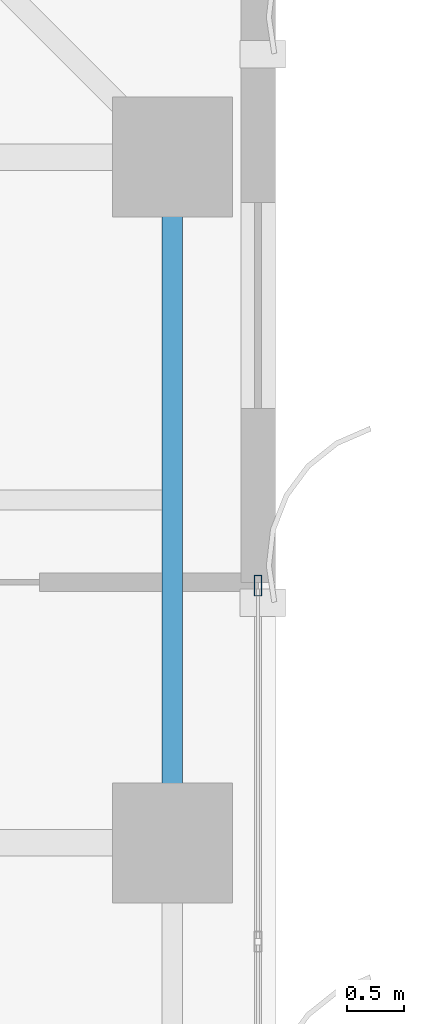
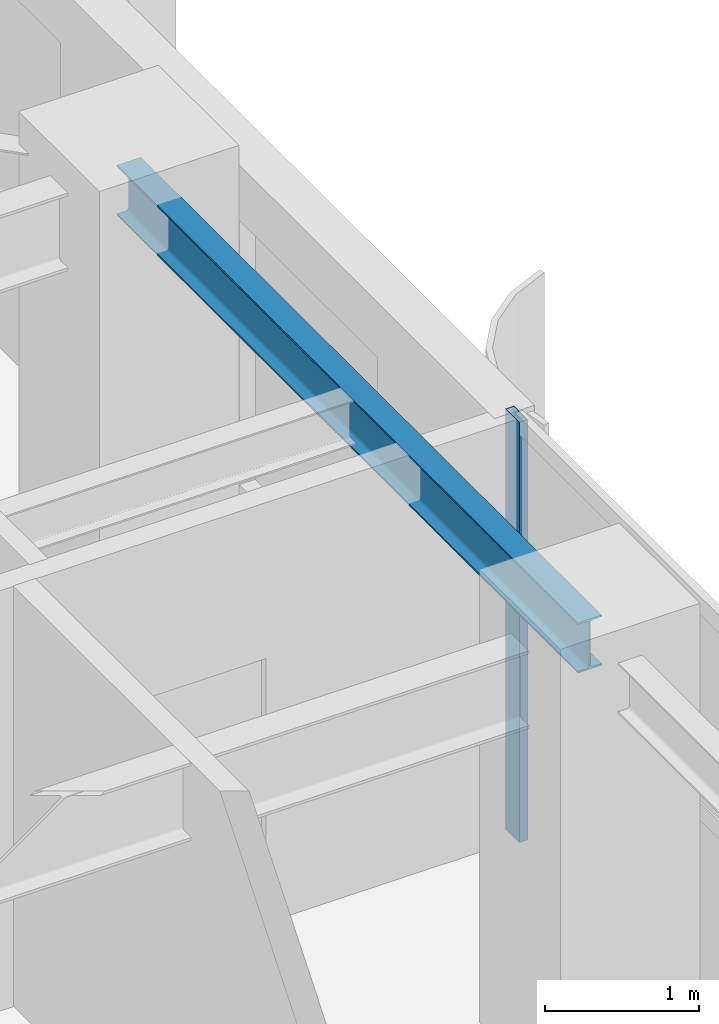
# One storey, part 14 of 23: 1 beam, 1 member, 1 element without a shape of its own.
"""IFC4 building model written with IfcOpenShell, lengths in metres."""

from ifc_helpers import new_model, si_unit, direction, frame, origin, origin_2d, place, context, subcontext, project, spatial, hollow_rectangle, i_section, extrude, source, transform, mapped, material, layer, layer_set, material_profile, profile_set, type_object, element, aggregate, save


model = new_model("IFC4")

# Units and contexts
model_context = context("Model", 3, precision=1e-05, world=origin(), true_north=direction((0.0, 1.0)))
body_context = subcontext(model_context, "Body", "Model", "MODEL_VIEW")
ifc_project = project(units=[si_unit("LENGTHUNIT", "METRE"), si_unit("AREAUNIT", "SQUARE_METRE"), si_unit("VOLUMEUNIT", "CUBIC_METRE"), si_unit("PLANEANGLEUNIT", "RADIAN"), si_unit("MASSUNIT", "GRAM", prefix="KILO")], contexts=[model_context])

# Site, building, storey
site_placement = place(None, origin())
site = spatial("IfcSite", under=ifc_project, at=site_placement, CompositionType="ELEMENT")
building_placement = place(site_placement, origin())
building = spatial("IfcBuilding", under=site, at=building_placement, Name="Khoralis Quay Care Tower", CompositionType="ELEMENT")
storey_placement = place(building_placement, frame((0.0, 0.0, 119.699951171875)))
storey = spatial("IfcBuildingStorey", under=building, at=storey_placement, Name="L31", CompositionType="ELEMENT", Elevation=119.699951171875)

# Beam
ifc_material_1 = material(Name="Steel S355", Category="steel")
ifc_material_profile_1 = material_profile(ifc_material_1, i_section(OverallWidth=0.179931640625, OverallDepth=0.39990234375, WebThickness=0.008544921875, FlangeThickness=0.013427734375, FilletRadius=0.02099609375, at=origin_2d()), Name="Steel S355")
ifc_profile_set_1 = profile_set([ifc_material_profile_1], Name="Steel S355")
beam_type = type_object("IfcBeamType", Name="BM-IPE400", PredefinedType="SPANDREL", material=ifc_profile_set_1)
shared_shape_1 = source(origin(), body_context, "Body", "SweptSolid", [
    extrude(i_section(OverallWidth=0.179931640625, OverallDepth=0.39990234375, WebThickness=0.008544921875, FlangeThickness=0.013427734375, FilletRadius=0.02099609375, at=origin_2d()), origin(), (0.0, 0.0, 1.0), 6.0),
])
beam_placement = place(storey_placement, frame((44.10009765625, 30.0, 3.14013671875), z_axis=(0.0, 1.0, 0.0), x_axis=(-1.0, 0.0, 0.0)))
element("IfcBeam", 1, at=beam_placement, inside=storey, type_object=beam_type, Name="BM-TSP-L31-20", PredefinedType="SPANDREL", context=body_context, shape_type="MappedRepresentation", body=[
    mapped(shared_shape_1, transform((0.0, 0.0, 0.0), scale=1.0)),
])

# Curtain wall, member
ifc_material_2 = material(Name="Pale anodised aluminium", Category="aluminium")
ifc_layer = layer(ifc_material_2, 0.169921875)
ifc_layer_set = layer_set([ifc_layer], Name="Pale anodised aluminium")
curtain_wall_type = type_object("IfcCurtainWallType", Name="CW-SYS-Z2", PredefinedType="NOTDEFINED", material=ifc_layer_set)
curtain_wall_placement = place(storey_placement, origin())
curtain_wall = element("IfcCurtainWall", 2, at=curtain_wall_placement, inside=storey, type_object=curtain_wall_type, Name="L31 Unitised Curtain Wall CW-L31-P1-E5", PredefinedType="NOTDEFINED")
ifc_material_profile_2 = material_profile(ifc_material_2, hollow_rectangle(XDim=0.06494140625, YDim=0.179931640625, WallThickness=0.00390625, at=origin_2d()), Name="Pale anodised aluminium")
ifc_profile_set_2 = profile_set([ifc_material_profile_2], Name="Pale anodised aluminium")
member_type = type_object("IfcMemberType", Name="CW-MUL-180", PredefinedType="MULLION", material=ifc_profile_set_2)
shared_shape_2 = source(origin(), body_context, "Body", "SweptSolid", [
    extrude(hollow_rectangle(XDim=0.06494140625, YDim=0.179931640625, WallThickness=0.00390625, at=origin_2d()), origin(), (0.0, 0.0, 1.0), 3.340087890625),
])
member_placement = place(storey_placement, frame((44.85009765625, 32.25, 0.0), z_axis=(0.0, 0.0, 1.0), x_axis=(-1.0, 0.0, 0.0)))
member = element("IfcMember", 3, at=member_placement, type_object=member_type, Name="CW2 mullion 5", PredefinedType="MULLION", context=body_context, shape_type="MappedRepresentation", body=[
    mapped(shared_shape_2, transform((0.0, 0.0, 0.0), scale=1.0)),
])
aggregate(curtain_wall, [member])

save(model, "model.ifc")
